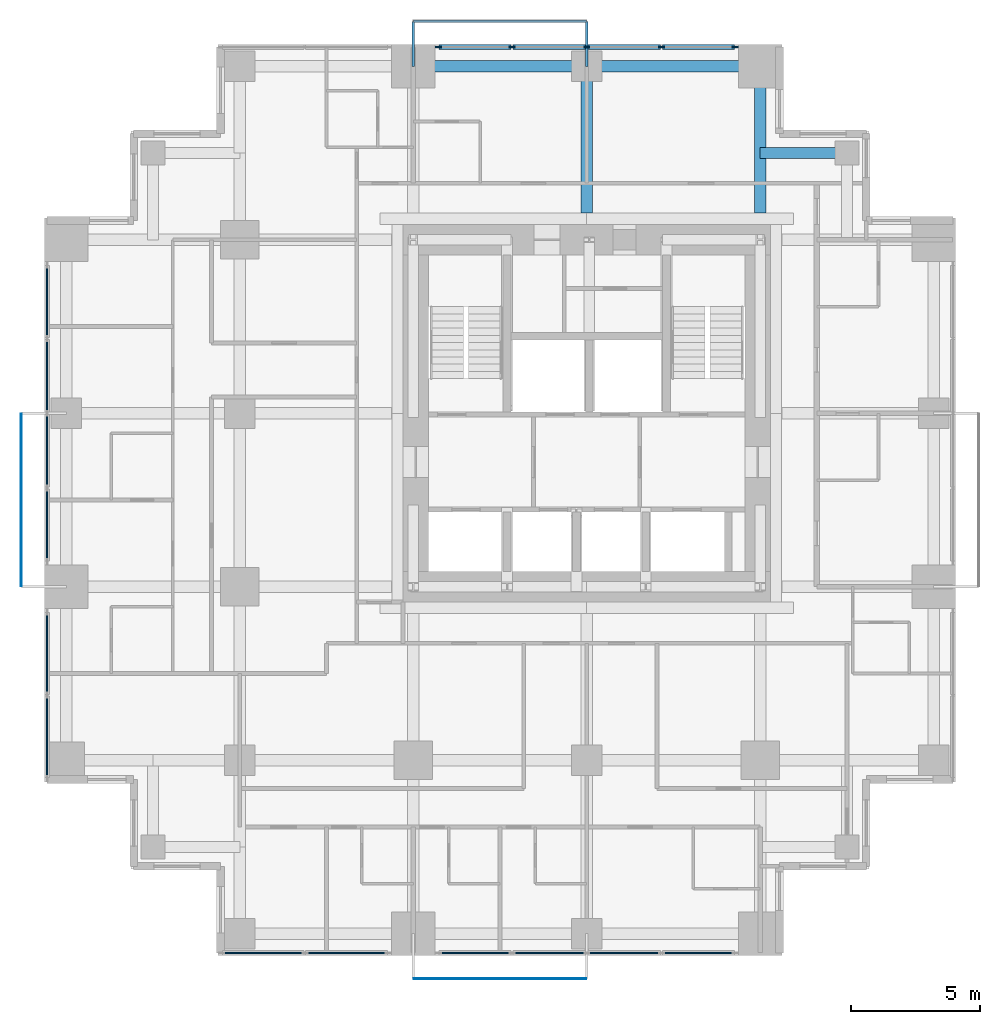
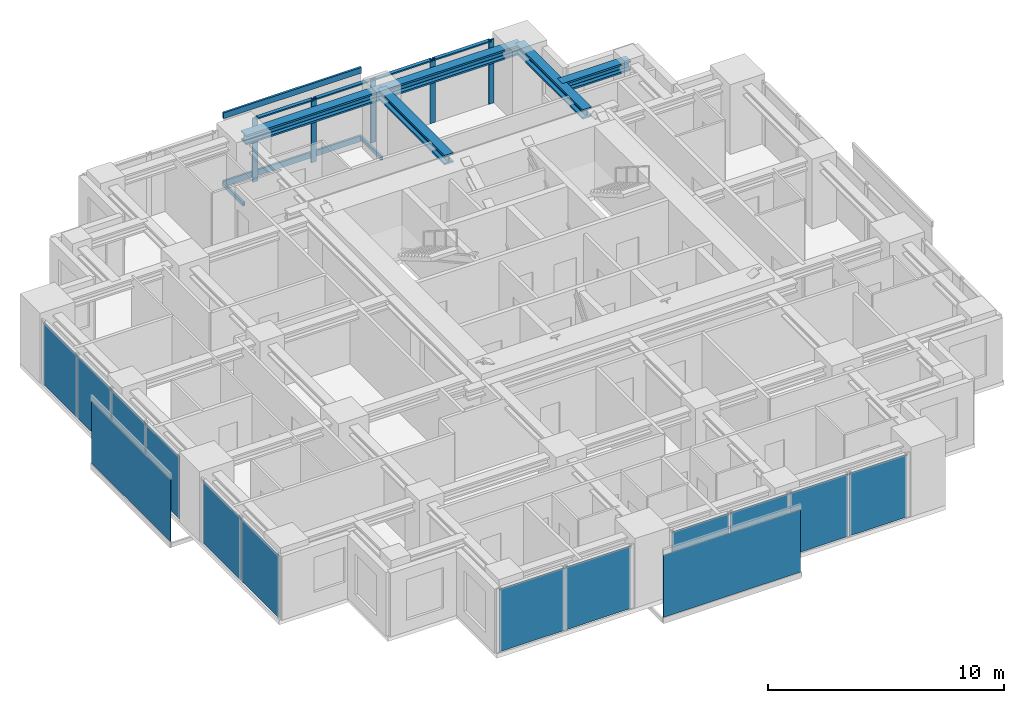
# One storey, part 4 of 10: 14 plates, 13 members, 5 beams, 5 elements without a shape of their own.
"""IFC4 building model written with IfcOpenShell, lengths in metres."""

from ifc_helpers import new_model, si_unit, direction, frame, origin, origin_2d, place, context, subcontext, project, spatial, rectangle, hollow_rectangle, i_section, extrude, material, layer, layer_set, material_profile, profile_set, type_object, element, aggregate, save


model = new_model("IFC4")

# Units and contexts
model_context = context("Model", 3, precision=1e-05, world=origin(), true_north=direction((0.0, 1.0)))
body_context = subcontext(model_context, "Body", "Model", "MODEL_VIEW")
ifc_project = project(units=[si_unit("LENGTHUNIT", "METRE"), si_unit("AREAUNIT", "SQUARE_METRE"), si_unit("VOLUMEUNIT", "CUBIC_METRE"), si_unit("PLANEANGLEUNIT", "RADIAN"), si_unit("MASSUNIT", "GRAM", prefix="KILO")], contexts=[model_context])

# Site, building, storey
site_placement = place(None, origin())
site = spatial("IfcSite", under=ifc_project, at=site_placement, CompositionType="ELEMENT")
building_placement = place(site_placement, origin())
building = spatial("IfcBuilding", under=site, at=building_placement, Name="Nyansa Garden Tower", CompositionType="ELEMENT")
storey_placement = place(building_placement, frame((0.0, 0.0, 196.199951171875)))
storey = spatial("IfcBuildingStorey", under=building, at=storey_placement, Name="L53", CompositionType="ELEMENT", Elevation=196.199951171875)

# Curtain wall, members
ifc_material_1 = material(Name="Black anodised aluminium, dark tinted double glazing", Category="aluminium")
curtain_wall_type = type_object("IfcCurtainWallType", Name="Inner skin curtain wall ISW-C", PredefinedType="USERDEFINED", material=ifc_material_1)
curtain_wall_1_placement = place(storey_placement, origin())
curtain_wall_1 = element("IfcCurtainWall", 1, at=curtain_wall_1_placement, inside=storey, type_object=curtain_wall_type, Name="Inner skin curtain wall L53 N", ObjectType="UNITISED CURTAIN WALL", PredefinedType="USERDEFINED")
ifc_material_2 = material(Name="Black anodised aluminium", Category="aluminium")
ifc_material_profile_1 = material_profile(ifc_material_2, rectangle(XDim=0.070068359375, YDim=0.25, at=origin_2d()), Name="Mullion 250x70")
ifc_profile_set_1 = profile_set([ifc_material_profile_1], Name="Black anodised aluminium")
member_type_1 = type_object("IfcMemberType", Name="Mullion ISW-C 250x70", PredefinedType="MULLION", material=ifc_profile_set_1)
member_1_placement = place(storey_placement, frame((26.02490234375, 34.5, 0.0), z_axis=(0.0, 0.0, 1.0), x_axis=(0.0, -1.0, 0.0)))
member_1 = element("IfcMember", 2, at=member_1_placement, type_object=member_type_1, Name="ISW-C mullion 1", PredefinedType="MULLION", context=body_context, shape_type="SweptSolid", body=[
    extrude(rectangle(XDim=0.070068359375, YDim=0.25, at=origin_2d()), origin(), (0.0, 0.0, 1.0), 3.300048828125),
])
member_2_placement = place(storey_placement, frame((23.155029296875, 34.5, 0.0), z_axis=(0.0, 0.0, 1.0), x_axis=(0.0, -1.0, 0.0)))
member_2 = element("IfcMember", 3, at=member_2_placement, type_object=member_type_1, Name="ISW-C mullion 2", PredefinedType="MULLION", context=body_context, shape_type="SweptSolid", body=[
    extrude(rectangle(XDim=0.070068359375, YDim=0.25, at=origin_2d()), origin(), (0.0, 0.0, 1.0), 3.300048828125),
])
member_3_placement = place(storey_placement, frame((20.25, 34.5, 0.0), z_axis=(0.0, 0.0, 1.0), x_axis=(0.0, -1.0, 0.0)))
member_3 = element("IfcMember", 4, at=member_3_placement, type_object=member_type_1, Name="ISW-C mullion 3", PredefinedType="MULLION", context=body_context, shape_type="SweptSolid", body=[
    extrude(rectangle(XDim=0.070068359375, YDim=0.25, at=origin_2d()), origin(), (0.0, 0.0, 1.0), 3.300048828125),
])
member_4_placement = place(storey_placement, frame((17.344970703125, 34.5, 0.0), z_axis=(0.0, 0.0, 1.0), x_axis=(0.0, -1.0, 0.0)))
member_4 = element("IfcMember", 5, at=member_4_placement, type_object=member_type_1, Name="ISW-C mullion 4", PredefinedType="MULLION", context=body_context, shape_type="SweptSolid", body=[
    extrude(rectangle(XDim=0.070068359375, YDim=0.25, at=origin_2d()), origin(), (0.0, 0.0, 1.0), 3.300048828125),
])
member_5_placement = place(storey_placement, frame((14.47509765625, 34.5, 0.0), z_axis=(0.0, 0.0, 1.0), x_axis=(0.0, -1.0, 0.0)))
member_5 = element("IfcMember", 6, at=member_5_placement, type_object=member_type_1, Name="ISW-C mullion 5", PredefinedType="MULLION", context=body_context, shape_type="SweptSolid", body=[
    extrude(rectangle(XDim=0.070068359375, YDim=0.25, at=origin_2d()), origin(), (0.0, 0.0, 1.0), 3.300048828125),
])

# Members
ifc_material_3 = material(Name="Steel S355, black powder coated", Category="steel")
ifc_material_profile_2 = material_profile(ifc_material_3, hollow_rectangle(XDim=0.10009765625, YDim=0.199951171875, WallThickness=0.008056640625, at=origin_2d()), Name="RHS 200x100x8")
ifc_profile_set_2 = profile_set([ifc_material_profile_2], Name="Steel S355, black powder coated")
member_type_2 = type_object("IfcMemberType", Name="Outer skin bracket arm RHS 200x100x8", PredefinedType="USERDEFINED", material=ifc_profile_set_2)
for number, where, z_axis, x_axis, name in (
    (7, (13.5, 33.75, -0.375), (0.0, 1.0, 0.0), (-1.0, 0.0, 0.0), "Outer skin bracket arm"),
    (8, (20.25, 33.75, -0.375), (0.0, 1.0, 0.0), (-1.0, 0.0, 0.0), "Outer skin bracket arm"),
):
    element("IfcMember", number, at=place(storey_placement, frame(where, z_axis=z_axis, x_axis=x_axis)), inside=storey, type_object=member_type_2, Name=name, ObjectType="OUTER SKIN BRACKET", PredefinedType="USERDEFINED", context=body_context, shape_type="SweptSolid", body=[
        extrude(hollow_rectangle(XDim=0.10009765625, YDim=0.199951171875, WallThickness=0.008056640625, at=origin_2d()), origin(), (0.0, 0.0, 1.0), 1.75),
    ])
ifc_material_4 = material(Name="Steel S355, black powder coated", Category="steel")
ifc_material_profile_3 = material_profile(ifc_material_4, hollow_rectangle(XDim=0.10009765625, YDim=0.300048828125, WallThickness=0.010009765625, at=origin_2d()), Name="RHS 300x100x10")
ifc_profile_set_3 = profile_set([ifc_material_profile_3], Name="Steel S355, black powder coated")
member_type_3 = type_object("IfcMemberType", Name="Outer skin rail RHS 300x100x10", PredefinedType="USERDEFINED", material=ifc_profile_set_3)
for number, where, z_axis, x_axis, name in (
    (9, (13.5, 35.5, -0.375), (1.0, 0.0, 0.0), (0.0, 1.0, 0.0), "Outer skin rail L53"),
    (10, (13.5, 35.5, 3.150146484375), (1.0, 0.0, 0.0), (0.0, 1.0, 0.0), "Outer skin rail L53 head"),
):
    element("IfcMember", number, at=place(storey_placement, frame(where, z_axis=z_axis, x_axis=x_axis)), inside=storey, type_object=member_type_3, Name=name, ObjectType="OUTER SKIN RAIL", PredefinedType="USERDEFINED", context=body_context, shape_type="SweptSolid", body=[
        extrude(hollow_rectangle(XDim=0.10009765625, YDim=0.300048828125, WallThickness=0.010009765625, at=origin_2d()), origin(), (0.0, 0.0, 1.0), 6.75),
    ])

# Beams
ifc_material_5 = material(Name="Steel S355", Category="steel")
ifc_material_profile_4 = material_profile(ifc_material_5, i_section(OverallWidth=0.431884765625, OverallDepth=0.498046875, WebThickness=0.0556640625, FlangeThickness=0.0888671875, FilletRadius=0.014892578125, at=origin_2d()), Name="HD 400x744")
ifc_profile_set_4 = profile_set([ifc_material_profile_4], Name="Steel S355")
beam_type_1 = type_object("IfcBeamType", Name="Steel beam SBC2-744 HD 400x744", PredefinedType="BEAM", material=ifc_profile_set_4)
beam_1_placement = place(storey_placement, frame((20.25, 28.050048828125, 3.051025390625), z_axis=(0.0, 1.0, 0.0), x_axis=(-1.0, 0.0, 0.0)))
element("IfcBeam", 11, at=beam_1_placement, inside=storey, type_object=beam_type_1, Name="Steel beam 5/28.050-5/J L54", PredefinedType="BEAM", context=body_context, shape_type="SweptSolid", body=[
    extrude(i_section(OverallWidth=0.431884765625, OverallDepth=0.498046875, WebThickness=0.0556640625, FlangeThickness=0.0888671875, FilletRadius=0.014892578125, at=origin_2d()), origin(), (0.0, 0.0, 1.0), 5.699951171875),
])
ifc_material_6 = material(Name="Steel S355", Category="steel")
ifc_material_profile_5 = material_profile(ifc_material_6, i_section(OverallWidth=0.431884765625, OverallDepth=0.498046875, WebThickness=0.0556640625, FlangeThickness=0.0888671875, FilletRadius=0.014892578125, at=origin_2d()), Name="HD 400x744")
ifc_profile_set_5 = profile_set([ifc_material_profile_5], Name="Steel S355")
beam_type_2 = type_object("IfcBeamType", Name="Steel beam SEBC-744 HD 400x744", PredefinedType="BEAM", material=ifc_profile_set_5)
for number, where, z_axis, x_axis, name in (
    (12, (13.5, 33.75, 3.051025390625), (1.0, 0.0, 0.0), (0.0, 1.0, 0.0), "Steel edge beam 4/J-5/J L54"),
    (13, (20.25, 33.75, 3.051025390625), (1.0, 0.0, 0.0), (0.0, 1.0, 0.0), "Steel edge beam 5/J-6/J L54"),
):
    element("IfcBeam", number, at=place(storey_placement, frame(where, z_axis=z_axis, x_axis=x_axis)), inside=storey, type_object=beam_type_2, Name=name, PredefinedType="BEAM", context=body_context, shape_type="SweptSolid", body=[
        extrude(i_section(OverallWidth=0.431884765625, OverallDepth=0.498046875, WebThickness=0.0556640625, FlangeThickness=0.0888671875, FilletRadius=0.014892578125, at=origin_2d()), origin(), (0.0, 0.0, 1.0), 6.75),
    ])
ifc_material_7 = material(Name="Steel S355", Category="steel")
ifc_material_profile_6 = material_profile(ifc_material_7, i_section(OverallWidth=0.431884765625, OverallDepth=0.498046875, WebThickness=0.0556640625, FlangeThickness=0.0888671875, FilletRadius=0.014892578125, at=origin_2d()), Name="HD 400x744")
ifc_profile_set_6 = profile_set([ifc_material_profile_6], Name="Steel S355")
beam_type_3 = type_object("IfcBeamType", Name="Steel beam SOC1-744 HD 400x744", PredefinedType="BEAM", material=ifc_profile_set_6)
beam_2_placement = place(storey_placement, frame((27.0, 28.050048828125, 3.051025390625), z_axis=(0.0, 1.0, 0.0), x_axis=(-1.0, 0.0, 0.0)))
element("IfcBeam", 14, at=beam_2_placement, inside=storey, type_object=beam_type_3, Name="Steel beam 6/28.050-6/J L54", PredefinedType="BEAM", context=body_context, shape_type="SweptSolid", body=[
    extrude(i_section(OverallWidth=0.431884765625, OverallDepth=0.498046875, WebThickness=0.0556640625, FlangeThickness=0.0888671875, FilletRadius=0.014892578125, at=origin_2d()), origin(), (0.0, 0.0, 1.0), 5.699951171875),
])
ifc_material_8 = material(Name="Steel S355", Category="steel")
ifc_material_profile_7 = material_profile(ifc_material_8, i_section(OverallWidth=0.431884765625, OverallDepth=0.498046875, WebThickness=0.0556640625, FlangeThickness=0.0888671875, FilletRadius=0.014892578125, at=origin_2d()), Name="HD 400x744")
ifc_profile_set_7 = profile_set([ifc_material_profile_7], Name="Steel S355")
beam_type_4 = type_object("IfcBeamType", Name="Steel beam SSB1-744 HD 400x744", PredefinedType="BEAM", material=ifc_profile_set_7)
beam_3_placement = place(storey_placement, frame((30.375, 30.375, 3.051025390625), z_axis=(-1.0, 0.0, 0.0), x_axis=(0.0, -1.0, 0.0)))
element("IfcBeam", 15, at=beam_3_placement, inside=storey, type_object=beam_type_4, Name="Steel step beam 30.375/30.375 L54", PredefinedType="BEAM", context=body_context, shape_type="SweptSolid", body=[
    extrude(i_section(OverallWidth=0.431884765625, OverallDepth=0.498046875, WebThickness=0.0556640625, FlangeThickness=0.0888671875, FilletRadius=0.014892578125, at=origin_2d()), origin(), (0.0, 0.0, 1.0), 3.375),
])

# Member
ifc_material_9 = material(Name="Black anodised aluminium", Category="aluminium")
ifc_material_profile_8 = material_profile(ifc_material_9, rectangle(XDim=0.179931640625, YDim=0.070068359375, at=origin_2d()), Name="Transom 180x70")
ifc_profile_set_8 = profile_set([ifc_material_profile_8], Name="Black anodised aluminium")
member_type_4 = type_object("IfcMemberType", Name="Transom ISW-C 180x70", PredefinedType="USERDEFINED", material=ifc_profile_set_8)
member_6_placement = place(storey_placement, frame((25.989990234375, 34.5, 3.26513671875), z_axis=(-1.0, 0.0, 0.0), x_axis=(0.0, -1.0, 0.0)))
member_6 = element("IfcMember", 16, at=member_6_placement, type_object=member_type_4, Name="ISW-C transom 1", ObjectType="TRANSOM", PredefinedType="USERDEFINED", context=body_context, shape_type="SweptSolid", body=[
    extrude(rectangle(XDim=0.179931640625, YDim=0.070068359375, at=origin_2d()), origin(), (0.0, 0.0, 1.0), 2.800048828125),
])

member_7_placement = place(storey_placement, frame((23.1201171875, 34.5, 3.26513671875), z_axis=(-1.0, 0.0, 0.0), x_axis=(0.0, -1.0, 0.0)))
member_7 = element("IfcMember", 17, at=member_7_placement, type_object=member_type_4, Name="ISW-C transom 2", ObjectType="TRANSOM", PredefinedType="USERDEFINED", context=body_context, shape_type="SweptSolid", body=[
    extrude(rectangle(XDim=0.179931640625, YDim=0.070068359375, at=origin_2d()), origin(), (0.0, 0.0, 1.0), 2.835205078125),
])

member_8_placement = place(storey_placement, frame((20.215087890625, 34.5, 3.26513671875), z_axis=(-1.0, 0.0, 0.0), x_axis=(0.0, -1.0, 0.0)))
member_8 = element("IfcMember", 18, at=member_8_placement, type_object=member_type_4, Name="ISW-C transom 3", ObjectType="TRANSOM", PredefinedType="USERDEFINED", context=body_context, shape_type="SweptSolid", body=[
    extrude(rectangle(XDim=0.179931640625, YDim=0.070068359375, at=origin_2d()), origin(), (0.0, 0.0, 1.0), 2.835205078125),
])

member_9_placement = place(storey_placement, frame((17.31005859375, 34.5, 3.26513671875), z_axis=(-1.0, 0.0, 0.0), x_axis=(0.0, -1.0, 0.0)))
member_9 = element("IfcMember", 19, at=member_9_placement, type_object=member_type_4, Name="ISW-C transom 4", ObjectType="TRANSOM", PredefinedType="USERDEFINED", context=body_context, shape_type="SweptSolid", body=[
    extrude(rectangle(XDim=0.179931640625, YDim=0.070068359375, at=origin_2d()), origin(), (0.0, 0.0, 1.0), 2.800048828125),
])

aggregate(curtain_wall_1, [member_1, member_2, member_3, member_4, member_5, member_6, member_7, member_8, member_9])

# Curtain wall, plates
curtain_wall_2_placement = place(storey_placement, origin())
curtain_wall_2 = element("IfcCurtainWall", 20, at=curtain_wall_2_placement, inside=storey, type_object=curtain_wall_type, Name="Inner skin curtain wall L53 W", ObjectType="UNITISED CURTAIN WALL", PredefinedType="USERDEFINED")
ifc_material_10 = material(Name="Dark tinted laminated double glazing", Category="glass")
ifc_layer_1 = layer(ifc_material_10, 0.0400390625)
ifc_layer_set_1 = layer_set([ifc_layer_1], Name="Dark tinted vision panel VP-C")
plate_type_1 = type_object("IfcPlateType", Name="Dark tinted vision panel VP-C", PredefinedType="CURTAIN_PANEL", material=ifc_layer_set_1)
plate_1_placement = place(storey_placement, frame((-0.75, 24.590087890625, 0.0), z_axis=(0.0, 0.0, 1.0), x_axis=(0.0, -1.0, 0.0)))
plate_1 = element("IfcPlate", 21, at=plate_1_placement, type_object=plate_type_1, Name="ISW-C panel 1", PredefinedType="CURTAIN_PANEL", context=body_context, shape_type="SweptSolid", body=[
    extrude(rectangle(XDim=2.800048828125, YDim=0.0400390625, at=origin_2d()), origin(), (0.0, 0.0, 1.0), 3.22998046875),
])
plate_2_placement = place(storey_placement, frame((-0.75, 21.702392578125, 0.0), z_axis=(0.0, 0.0, 1.0), x_axis=(0.0, -1.0, 0.0)))
plate_2 = element("IfcPlate", 22, at=plate_2_placement, type_object=plate_type_1, Name="ISW-C panel 2", PredefinedType="CURTAIN_PANEL", context=body_context, shape_type="SweptSolid", body=[
    extrude(rectangle(XDim=2.8349609375, YDim=0.0400390625, at=origin_2d()), origin(), (0.0, 0.0, 1.0), 3.22998046875),
])
plate_3_placement = place(storey_placement, frame((-0.75, 18.797607421875, 0.0), z_axis=(0.0, 0.0, 1.0), x_axis=(0.0, -1.0, 0.0)))
plate_3 = element("IfcPlate", 23, at=plate_3_placement, type_object=plate_type_1, Name="ISW-C panel 3", PredefinedType="CURTAIN_PANEL", context=body_context, shape_type="SweptSolid", body=[
    extrude(rectangle(XDim=2.8349609375, YDim=0.0400390625, at=origin_2d()), origin(), (0.0, 0.0, 1.0), 3.22998046875),
])
plate_4_placement = place(storey_placement, frame((-0.75, 15.909912109375, 0.0), z_axis=(0.0, 0.0, 1.0), x_axis=(0.0, -1.0, 0.0)))
plate_4 = element("IfcPlate", 24, at=plate_4_placement, type_object=plate_type_1, Name="ISW-C panel 4", PredefinedType="CURTAIN_PANEL", context=body_context, shape_type="SweptSolid", body=[
    extrude(rectangle(XDim=2.800048828125, YDim=0.0400390625, at=origin_2d()), origin(), (0.0, 0.0, 1.0), 3.22998046875),
])
aggregate(curtain_wall_2, [plate_1, plate_2, plate_3, plate_4])

curtain_wall_3_placement = place(storey_placement, origin())
curtain_wall_3 = element("IfcCurtainWall", 25, at=curtain_wall_3_placement, inside=storey, type_object=curtain_wall_type, Name="Inner skin curtain wall L53 W", ObjectType="UNITISED CURTAIN WALL", PredefinedType="USERDEFINED")
plate_5_placement = place(storey_placement, frame((-0.75, 10.902587890625, 0.0), z_axis=(0.0, 0.0, 1.0), x_axis=(0.0, -1.0, 0.0)))
plate_5 = element("IfcPlate", 26, at=plate_5_placement, type_object=plate_type_1, Name="ISW-C panel 1", PredefinedType="CURTAIN_PANEL", context=body_context, shape_type="SweptSolid", body=[
    extrude(rectangle(XDim=3.175048828125, YDim=0.0400390625, at=origin_2d()), origin(), (0.0, 0.0, 1.0), 3.22998046875),
])
plate_6_placement = place(storey_placement, frame((-0.75, 7.657470703125, 0.0), z_axis=(0.0, 0.0, 1.0), x_axis=(0.0, -1.0, 0.0)))
plate_6 = element("IfcPlate", 27, at=plate_6_placement, type_object=plate_type_1, Name="ISW-C panel 2", PredefinedType="CURTAIN_PANEL", context=body_context, shape_type="SweptSolid", body=[
    extrude(rectangle(XDim=3.175048828125, YDim=0.0400390625, at=origin_2d()), origin(), (0.0, 0.0, 1.0), 3.22998046875),
])
aggregate(curtain_wall_3, [plate_5, plate_6])

curtain_wall_4_placement = place(storey_placement, origin())
curtain_wall_4 = element("IfcCurtainWall", 28, at=curtain_wall_4_placement, inside=storey, type_object=curtain_wall_type, Name="Inner skin curtain wall L53 S", ObjectType="UNITISED CURTAIN WALL", PredefinedType="USERDEFINED")
plate_7_placement = place(storey_placement, frame((7.657470703125, -0.75, 0.0), z_axis=(0.0, 0.0, 1.0), x_axis=(1.0, 0.0, 0.0)))
plate_7 = element("IfcPlate", 29, at=plate_7_placement, type_object=plate_type_1, Name="ISW-C panel 1", PredefinedType="CURTAIN_PANEL", context=body_context, shape_type="SweptSolid", body=[
    extrude(rectangle(XDim=3.175048828125, YDim=0.0400390625, at=origin_2d()), origin(), (0.0, 0.0, 1.0), 3.22998046875),
])
plate_8_placement = place(storey_placement, frame((10.902587890625, -0.75, 0.0), z_axis=(0.0, 0.0, 1.0), x_axis=(1.0, 0.0, 0.0)))
plate_8 = element("IfcPlate", 30, at=plate_8_placement, type_object=plate_type_1, Name="ISW-C panel 2", PredefinedType="CURTAIN_PANEL", context=body_context, shape_type="SweptSolid", body=[
    extrude(rectangle(XDim=3.175048828125, YDim=0.0400390625, at=origin_2d()), origin(), (0.0, 0.0, 1.0), 3.22998046875),
])
aggregate(curtain_wall_4, [plate_7, plate_8])

curtain_wall_5_placement = place(storey_placement, origin())
curtain_wall_5 = element("IfcCurtainWall", 31, at=curtain_wall_5_placement, inside=storey, type_object=curtain_wall_type, Name="Inner skin curtain wall L53 S", ObjectType="UNITISED CURTAIN WALL", PredefinedType="USERDEFINED")
plate_9_placement = place(storey_placement, frame((15.909912109375, -0.75, 0.0), z_axis=(0.0, 0.0, 1.0), x_axis=(1.0, 0.0, 0.0)))
plate_9 = element("IfcPlate", 32, at=plate_9_placement, type_object=plate_type_1, Name="ISW-C panel 1", PredefinedType="CURTAIN_PANEL", context=body_context, shape_type="SweptSolid", body=[
    extrude(rectangle(XDim=2.800048828125, YDim=0.0400390625, at=origin_2d()), origin(), (0.0, 0.0, 1.0), 3.22998046875),
])
plate_10_placement = place(storey_placement, frame((18.797607421875, -0.75, 0.0), z_axis=(0.0, 0.0, 1.0), x_axis=(1.0, 0.0, 0.0)))
plate_10 = element("IfcPlate", 33, at=plate_10_placement, type_object=plate_type_1, Name="ISW-C panel 2", PredefinedType="CURTAIN_PANEL", context=body_context, shape_type="SweptSolid", body=[
    extrude(rectangle(XDim=2.8349609375, YDim=0.0400390625, at=origin_2d()), origin(), (0.0, 0.0, 1.0), 3.22998046875),
])
plate_11_placement = place(storey_placement, frame((21.702392578125, -0.75, 0.0), z_axis=(0.0, 0.0, 1.0), x_axis=(1.0, 0.0, 0.0)))
plate_11 = element("IfcPlate", 34, at=plate_11_placement, type_object=plate_type_1, Name="ISW-C panel 3", PredefinedType="CURTAIN_PANEL", context=body_context, shape_type="SweptSolid", body=[
    extrude(rectangle(XDim=2.8349609375, YDim=0.0400390625, at=origin_2d()), origin(), (0.0, 0.0, 1.0), 3.22998046875),
])
plate_12_placement = place(storey_placement, frame((24.590087890625, -0.75, 0.0), z_axis=(0.0, 0.0, 1.0), x_axis=(1.0, 0.0, 0.0)))
plate_12 = element("IfcPlate", 35, at=plate_12_placement, type_object=plate_type_1, Name="ISW-C panel 4", PredefinedType="CURTAIN_PANEL", context=body_context, shape_type="SweptSolid", body=[
    extrude(rectangle(XDim=2.800048828125, YDim=0.0400390625, at=origin_2d()), origin(), (0.0, 0.0, 1.0), 3.22998046875),
])
aggregate(curtain_wall_5, [plate_9, plate_10, plate_11, plate_12])

# Plates
ifc_material_11 = material(Name="Dark tinted laminated glass", Category="glass")
ifc_layer_2 = layer(ifc_material_11, 0.02392578125)
ifc_layer_set_2 = layer_set([ifc_layer_2], Name="Outer skin glass panel OS1")
plate_type_2 = type_object("IfcPlateType", Name="Outer skin glass panel OS1", PredefinedType="USERDEFINED", material=ifc_layer_set_2)
for number, where, z_axis, x_axis, name in (
    (36, (-1.75, 16.875, -0.22509765625), (0.0, 0.0, 1.0), (0.0, 1.0, 0.0), "Outer skin glass panel L53"),
    (37, (16.875, -1.75, -0.22509765625), (0.0, 0.0, 1.0), (1.0, 0.0, 0.0), "Outer skin glass panel L53"),
):
    element("IfcPlate", number, at=place(storey_placement, frame(where, z_axis=z_axis, x_axis=x_axis)), inside=storey, type_object=plate_type_2, Name=name, ObjectType="OUTER SKIN GLASS", PredefinedType="USERDEFINED", context=body_context, shape_type="SweptSolid", body=[
        extrude(rectangle(XDim=6.7099609375, YDim=0.02392578125, at=origin_2d()), origin(), (0.0, 0.0, 1.0), 3.22509765625),
    ])

save(model, "model.ifc")
